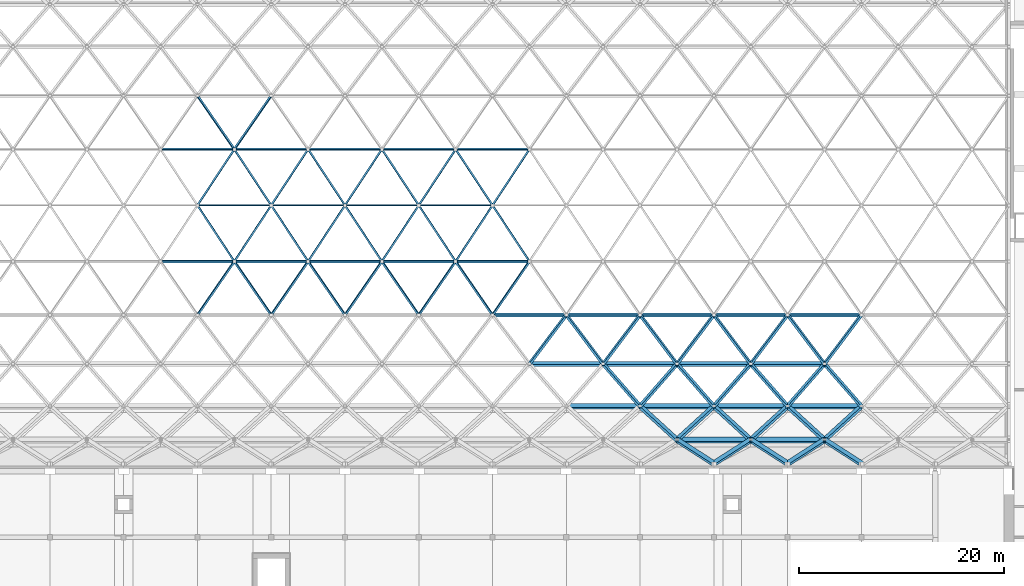
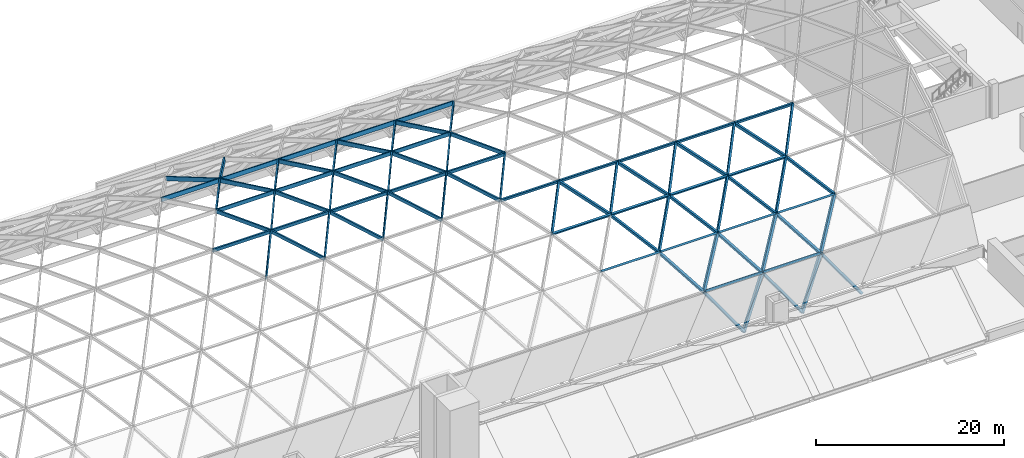
# One storey, part 9 of 52: 56 members, 29 beams.
"""IFC4 building model written with IfcOpenShell, lengths in metres."""

from ifc_helpers import new_model, si_unit, direction, frame, origin, origin_2d, place, context, subcontext, project, spatial, rectangle, extrude, material, material_profile, profile_set, type_object, element, save


model = new_model("IFC4")

# Units and contexts
model_context = context("Model", 3, precision=1e-05, world=origin(), true_north=direction((0.0, 1.0)))
body_context = subcontext(model_context, "Body", "Model", "MODEL_VIEW")
ifc_project = project(units=[si_unit("LENGTHUNIT", "METRE"), si_unit("AREAUNIT", "SQUARE_METRE"), si_unit("VOLUMEUNIT", "CUBIC_METRE"), si_unit("PLANEANGLEUNIT", "RADIAN"), si_unit("MASSUNIT", "GRAM", prefix="KILO")], contexts=[model_context])

# Site, building, storey
site_placement = place(None, origin())
site = spatial("IfcSite", under=ifc_project, at=site_placement, CompositionType="ELEMENT")
building_placement = place(site_placement, origin())
building = spatial("IfcBuilding", under=site, at=building_placement, Name="Vermilion Court Aquatics Centre", CompositionType="ELEMENT")
storey_placement = place(building_placement, frame((0.0, 0.0, 12.0)))
storey = spatial("IfcBuildingStorey", under=building, at=storey_placement, Name="L02", CompositionType="ELEMENT", Elevation=12.0)

# Beams
ifc_material_1 = material(Name="Glulam 24F-V4 Douglas fir", Category="wood")
ifc_material_profile_1 = material_profile(ifc_material_1, rectangle(XDim=0.1298828125, YDim=0.5, at=origin_2d()), Name="GL24F 130x500")
ifc_profile_set_1 = profile_set([ifc_material_profile_1], Name="Glulam 24F-V4 Douglas fir")
beam_type_1 = type_object("IfcBeamType", Name="Roof glulam beam GL24F 130x500", PredefinedType="BEAM", material=ifc_profile_set_1)
for number, where, z_axis, x_axis, name in (
    (1, (64.800048828125, 39.60009765625, 18.25), (1.0, 0.0, 0.0), (0.0, 1.0, 0.0), "Gridshell member GM-S06-07"),
    (2, (72.0, 39.60009765625, 18.25), (1.0, 0.0, 0.0), (0.0, 1.0, 0.0), "Gridshell member GM-S06-08"),
    (3, (79.199951171875, 39.60009765625, 18.25), (1.0, 0.0, 0.0), (0.0, 1.0, 0.0), "Gridshell member GM-S06-09"),
):
    element("IfcBeam", number, at=place(storey_placement, frame(where, z_axis=z_axis, x_axis=x_axis)), inside=storey, type_object=beam_type_1, Name=name, PredefinedType="BEAM", context=body_context, shape_type="SweptSolid", body=[
        extrude(rectangle(XDim=0.1298828125, YDim=0.5, at=origin_2d()), origin(), (0.0, 0.0, 1.0), 7.199951171875),
    ])
beam_1_placement = place(storey_placement, frame((86.39990234375, 39.60009765625, 18.25), z_axis=(1.0, 0.0, 0.0), x_axis=(0.0, 1.0, 0.0)))
element("IfcBeam", 4, at=beam_1_placement, inside=storey, type_object=beam_type_1, Name="Gridshell member GM-S06-10", PredefinedType="BEAM", context=body_context, shape_type="SweptSolid", body=[
    extrude(rectangle(XDim=0.1298828125, YDim=0.5, at=origin_2d()), origin(), (0.0, 0.0, 1.0), 7.2001953125),
])
ifc_material_2 = material(Name="Glulam 24F-V4 Douglas fir", Category="wood")
ifc_material_profile_2 = material_profile(ifc_material_2, rectangle(XDim=0.1708984375, YDim=0.5, at=origin_2d()), Name="GL24F 171x500")
ifc_profile_set_2 = profile_set([ifc_material_profile_2], Name="Glulam 24F-V4 Douglas fir")
beam_type_2 = type_object("IfcBeamType", Name="Roof glulam beam GL24F 171x500", PredefinedType="BEAM", material=ifc_profile_set_2)
for number, where, z_axis, x_axis, name in (
    (5, (93.60009765625, 28.89990234375, 16.007080078125), (1.0, 0.0, 0.0), (0.0, 0.915794264632, 0.401647687492), "Gridshell member GM-S04-11"),
    (6, (100.800048828125, 28.89990234375, 16.007080078125), (1.0, 0.0, 0.0), (0.0, 0.915794264632, 0.401647687492), "Gridshell member GM-S04-12"),
    (7, (108.0, 28.89990234375, 16.007080078125), (1.0, 0.0, 0.0), (0.0, 0.915794264632, 0.401647687492), "Gridshell member GM-S04-13"),
    (8, (115.199951171875, 28.89990234375, 16.007080078125), (1.0, 0.0, 0.0), (0.0, 0.915794264632, 0.401647687492), "Gridshell member GM-S04-14"),
):
    element("IfcBeam", number, at=place(storey_placement, frame(where, z_axis=z_axis, x_axis=x_axis)), inside=storey, type_object=beam_type_2, Name=name, PredefinedType="BEAM", context=body_context, shape_type="SweptSolid", body=[
        extrude(rectangle(XDim=0.1708984375, YDim=0.5, at=origin_2d()), origin(), (0.0, 0.0, 1.0), 7.199951171875),
    ])
beam_2_placement = place(storey_placement, frame((122.39990234375, 28.89990234375, 16.007080078125), z_axis=(1.0, 0.0, 0.0), x_axis=(0.0, 0.915794264632, 0.401647687492)))
element("IfcBeam", 9, at=beam_2_placement, inside=storey, type_object=beam_type_2, Name="Gridshell member GM-S04-15", PredefinedType="BEAM", context=body_context, shape_type="SweptSolid", body=[
    extrude(rectangle(XDim=0.1708984375, YDim=0.5, at=origin_2d()), origin(), (0.0, 0.0, 1.0), 7.2001953125),
])
beam_3_placement = place(storey_placement, frame((61.199951171875, 34.1298828125, 17.681884765625), z_axis=(1.0, 0.0, 0.0), x_axis=(0.0, 0.978692135467, 0.205333153619)))
element("IfcBeam", 10, at=beam_3_placement, inside=storey, type_object=beam_type_2, Name="Gridshell member GM-S05-07", PredefinedType="BEAM", context=body_context, shape_type="SweptSolid", body=[
    extrude(rectangle(XDim=0.1708984375, YDim=0.5, at=origin_2d()), origin(), (0.0, 0.0, 1.0), 7.199951171875),
])
beam_4_placement = place(storey_placement, frame((68.39990234375, 34.1298828125, 17.681884765625), z_axis=(1.0, 0.0, 0.0), x_axis=(0.0, 0.978692135467, 0.205333153619)))
element("IfcBeam", 11, at=beam_4_placement, inside=storey, type_object=beam_type_2, Name="Gridshell member GM-S05-08", PredefinedType="BEAM", context=body_context, shape_type="SweptSolid", body=[
    extrude(rectangle(XDim=0.1708984375, YDim=0.5, at=origin_2d()), origin(), (0.0, 0.0, 1.0), 7.2001953125),
])
for number, where, z_axis, x_axis, name in (
    (12, (75.60009765625, 34.1298828125, 17.681884765625), (1.0, 0.0, 0.0), (0.0, 0.978692135467, 0.205333153619), "Gridshell member GM-S05-09"),
    (13, (82.800048828125, 34.1298828125, 17.681884765625), (1.0, 0.0, 0.0), (0.0, 0.978692135467, 0.205333153619), "Gridshell member GM-S05-10"),
    (14, (90.0, 34.1298828125, 17.681884765625), (1.0, 0.0, 0.0), (0.0, 0.978692135467, 0.205333153619), "Gridshell member GM-S05-11"),
    (15, (61.199951171875, 45.070068359375, 17.681884765625), (1.0, 0.0, 0.0), (0.0, 0.978692135467, -0.205333153619), "Gridshell member GM-S07-07"),
):
    element("IfcBeam", number, at=place(storey_placement, frame(where, z_axis=z_axis, x_axis=x_axis)), inside=storey, type_object=beam_type_2, Name=name, PredefinedType="BEAM", context=body_context, shape_type="SweptSolid", body=[
        extrude(rectangle(XDim=0.1708984375, YDim=0.5, at=origin_2d()), origin(), (0.0, 0.0, 1.0), 7.199951171875),
    ])
beam_5_placement = place(storey_placement, frame((68.39990234375, 45.070068359375, 17.681884765625), z_axis=(1.0, 0.0, 0.0), x_axis=(0.0, 0.978692135467, -0.205333153619)))
element("IfcBeam", 16, at=beam_5_placement, inside=storey, type_object=beam_type_2, Name="Gridshell member GM-S07-08", PredefinedType="BEAM", context=body_context, shape_type="SweptSolid", body=[
    extrude(rectangle(XDim=0.1708984375, YDim=0.5, at=origin_2d()), origin(), (0.0, 0.0, 1.0), 7.2001953125),
])
for number, where, z_axis, x_axis, name in (
    (17, (75.60009765625, 45.070068359375, 17.681884765625), (1.0, 0.0, 0.0), (0.0, 0.978692135467, -0.205333153619), "Gridshell member GM-S07-09"),
    (18, (82.800048828125, 45.070068359375, 17.681884765625), (1.0, 0.0, 0.0), (0.0, 0.978692135467, -0.205333153619), "Gridshell member GM-S07-10"),
    (19, (90.0, 45.070068359375, 17.681884765625), (1.0, 0.0, 0.0), (0.0, 0.978692135467, -0.205333153619), "Gridshell member GM-S07-11"),
):
    element("IfcBeam", number, at=place(storey_placement, frame(where, z_axis=z_axis, x_axis=x_axis)), inside=storey, type_object=beam_type_2, Name=name, PredefinedType="BEAM", context=body_context, shape_type="SweptSolid", body=[
        extrude(rectangle(XDim=0.1708984375, YDim=0.5, at=origin_2d()), origin(), (0.0, 0.0, 1.0), 7.199951171875),
    ])
ifc_material_3 = material(Name="Glulam 24F-V4 Douglas fir", Category="wood")
ifc_material_profile_3 = material_profile(ifc_material_3, rectangle(XDim=0.221923828125, YDim=0.5, at=origin_2d()), Name="GL24F 222x500")
ifc_profile_set_3 = profile_set([ifc_material_profile_3], Name="Glulam 24F-V4 Douglas fir")
beam_type_3 = type_object("IfcBeamType", Name="Roof glulam beam GL24F 222x500", PredefinedType="BEAM", material=ifc_profile_set_3)
for number, where, z_axis, x_axis, name in (
    (20, (100.800048828125, 20.0, 9.652099609375), (1.0, 0.0, 0.0), (0.0, 0.677259808472, 0.735743944473), "Gridshell member GM-S02-12"),
    (21, (108.0, 20.0, 9.652099609375), (1.0, 0.0, 0.0), (0.0, 0.677259808472, 0.735743944473), "Gridshell member GM-S02-13"),
    (22, (115.199951171875, 20.0, 9.652099609375), (1.0, 0.0, 0.0), (0.0, 0.677259808472, 0.735743944473), "Gridshell member GM-S02-14"),
):
    element("IfcBeam", number, at=place(storey_placement, frame(where, z_axis=z_axis, x_axis=x_axis)), inside=storey, type_object=beam_type_3, Name=name, PredefinedType="BEAM", context=body_context, shape_type="SweptSolid", body=[
        extrude(rectangle(XDim=0.221923828125, YDim=0.5, at=origin_2d()), origin(), (0.0, 0.0, 1.0), 7.199951171875),
    ])
beam_6_placement = place(storey_placement, frame((122.39990234375, 20.0, 9.652099609375), z_axis=(1.0, 0.0, 0.0), x_axis=(0.0, 0.677259808472, 0.735743944473)))
element("IfcBeam", 23, at=beam_6_placement, inside=storey, type_object=beam_type_3, Name="Gridshell member GM-S02-15", PredefinedType="BEAM", context=body_context, shape_type="SweptSolid", body=[
    extrude(rectangle(XDim=0.221923828125, YDim=0.5, at=origin_2d()), origin(), (0.0, 0.0, 1.0), 7.2001953125),
])
beam_7_placement = place(storey_placement, frame((97.199951171875, 24.1201171875, 13.291015625), z_axis=(1.0, 0.0, 0.0), x_axis=(0.0, 0.813847589394, 0.581078395087)))
element("IfcBeam", 24, at=beam_7_placement, inside=storey, type_object=beam_type_3, Name="Gridshell member GM-S03-12", PredefinedType="BEAM", context=body_context, shape_type="SweptSolid", body=[
    extrude(rectangle(XDim=0.221923828125, YDim=0.5, at=origin_2d()), origin(), (0.0, 0.0, 1.0), 7.199951171875),
])
beam_8_placement = place(storey_placement, frame((104.39990234375, 24.1201171875, 13.291015625), z_axis=(1.0, 0.0, 0.0), x_axis=(0.0, 0.813847589394, 0.581078395087)))
element("IfcBeam", 25, at=beam_8_placement, inside=storey, type_object=beam_type_3, Name="Gridshell member GM-S03-13", PredefinedType="BEAM", context=body_context, shape_type="SweptSolid", body=[
    extrude(rectangle(XDim=0.221923828125, YDim=0.5, at=origin_2d()), origin(), (0.0, 0.0, 1.0), 7.2001953125),
])
for number, where, z_axis, x_axis, name in (
    (26, (111.60009765625, 24.1201171875, 13.291015625), (1.0, 0.0, 0.0), (0.0, 0.813847589394, 0.581078395087), "Gridshell member GM-S03-14"),
    (27, (118.800048828125, 24.1201171875, 13.291015625), (1.0, 0.0, 0.0), (0.0, 0.813847589394, 0.581078395087), "Gridshell member GM-S03-15"),
):
    element("IfcBeam", number, at=place(storey_placement, frame(where, z_axis=z_axis, x_axis=x_axis)), inside=storey, type_object=beam_type_3, Name=name, PredefinedType="BEAM", context=body_context, shape_type="SweptSolid", body=[
        extrude(rectangle(XDim=0.221923828125, YDim=0.5, at=origin_2d()), origin(), (0.0, 0.0, 1.0), 7.199951171875),
    ])
ifc_material_4 = material(Name="Glulam 24F-V4 Douglas fir", Category="wood")
ifc_material_profile_4 = material_profile(ifc_material_4, rectangle(XDim=0.27294921875, YDim=0.5, at=origin_2d()), Name="GL24F 273x500")
ifc_profile_set_4 = profile_set([ifc_material_profile_4], Name="Glulam 24F-V4 Douglas fir")
beam_type_4 = type_object("IfcBeamType", Name="Roof glulam beam GL24F 273x500", PredefinedType="BEAM", material=ifc_profile_set_4)
for number, where, z_axis, x_axis, name in (
    (28, (111.60009765625, 16.7099609375, 5.239013671875), (1.0, 0.0, 0.0), (0.0, 0.511594723072, 0.859226884661), "Gridshell member GM-S01-14"),
    (29, (118.800048828125, 16.7099609375, 5.239013671875), (1.0, 0.0, 0.0), (0.0, 0.511594723072, 0.859226884661), "Gridshell member GM-S01-15"),
):
    element("IfcBeam", number, at=place(storey_placement, frame(where, z_axis=z_axis, x_axis=x_axis)), inside=storey, type_object=beam_type_4, Name=name, PredefinedType="BEAM", context=body_context, shape_type="SweptSolid", body=[
        extrude(rectangle(XDim=0.27294921875, YDim=0.5, at=origin_2d()), origin(), (0.0, 0.0, 1.0), 7.199951171875),
    ])

# Members
ifc_material_5 = material(Name="Glulam 24F-V4 Douglas fir", Category="wood")
ifc_material_profile_5 = material_profile(ifc_material_5, rectangle(XDim=0.1708984375, YDim=0.5, at=origin_2d()), Name="GL24F 171x500")
ifc_profile_set_5 = profile_set([ifc_material_profile_5], Name="Glulam 24F-V4 Douglas fir")
member_type_1 = type_object("IfcMemberType", Name="Roof glulam diagonal GL24F 171x500", PredefinedType="BRACE", material=ifc_profile_set_5)
for number, where, z_axis, x_axis, name in (
    (30, (64.800048828125, 28.89990234375, 16.007080078125), (0.548229645356, 0.796485280625, 0.255059706147), (-0.836327836937, 0.522085963539, 0.167278198938), "Gridshell member GM-D04-14"),
    (31, (72.0, 28.89990234375, 16.007080078125), (-0.548255650399, 0.796469045357, 0.255054507103), (-0.836310790084, -0.522113193833, -0.167278436192), "Gridshell member GM-D04-15"),
    (32, (72.0, 28.89990234375, 16.007080078125), (0.548255650399, 0.796469045357, 0.255054507103), (-0.836310790084, 0.522113193833, 0.167278436192), "Gridshell member GM-D04-16"),
    (33, (79.199951171875, 28.89990234375, 16.007080078125), (-0.548229645356, 0.796485280625, 0.255059706147), (-0.836327836937, -0.522085963539, -0.167278198938), "Gridshell member GM-D04-17"),
    (34, (79.199951171875, 28.89990234375, 16.007080078125), (0.548255650399, 0.796469045357, 0.255054507103), (-0.836310790084, 0.522113193833, 0.167278436192), "Gridshell member GM-D04-18"),
    (35, (86.39990234375, 28.89990234375, 16.007080078125), (-0.548229645356, 0.796485280625, 0.255059706147), (-0.836327836937, -0.522085963539, -0.167278198938), "Gridshell member GM-D04-19"),
    (36, (86.39990234375, 28.89990234375, 16.007080078125), (0.548255650399, 0.796469045357, 0.255054507103), (-0.836310790084, 0.522113193833, 0.167278436192), "Gridshell member GM-D04-20"),
    (37, (93.60009765625, 28.89990234375, 16.007080078125), (-0.548255650399, 0.796469045357, 0.255054507103), (-0.836310790084, -0.522113193833, -0.167278436192), "Gridshell member GM-D04-21"),
    (38, (93.60009765625, 28.89990234375, 16.007080078125), (0.548229645356, 0.796485280625, 0.255059706147), (-0.836327836937, 0.522085963539, 0.167278198938), "Gridshell member GM-D04-22"),
):
    element("IfcMember", number, at=place(storey_placement, frame(where, z_axis=z_axis, x_axis=x_axis)), inside=storey, type_object=member_type_1, Name=name, PredefinedType="BRACE", context=body_context, shape_type="SweptSolid", body=[
        extrude(rectangle(XDim=0.1708984375, YDim=0.5, at=origin_2d()), origin(), (0.0, 0.0, 1.0), 6.56640625),
    ])
member_1_placement = place(storey_placement, frame((68.39990234375, 34.1298828125, 17.681884765625), z_axis=(-0.547668890277, 0.832219000038, 0.086431027987), x_axis=(-0.83669515676, -0.544743378643, -0.056531991638)))
element("IfcMember", 39, at=member_1_placement, inside=storey, type_object=member_type_1, Name="Gridshell member GM-D05-14", PredefinedType="BRACE", context=body_context, shape_type="SweptSolid", body=[
    extrude(rectangle(XDim=0.1708984375, YDim=0.5, at=origin_2d()), origin(), (0.0, 0.0, 1.0), 6.572998046875),
])
for number, where, z_axis, x_axis, name in (
    (40, (68.39990234375, 34.1298828125, 17.681884765625), (0.547694891547, 0.83220207107, 0.086429269811), (-0.83667813664, 0.544769518799, 0.056532000293), "Gridshell member GM-D05-15"),
    (41, (75.60009765625, 34.1298828125, 17.681884765625), (-0.547694891547, 0.83220207107, 0.086429269811), (-0.83667813664, -0.544769518799, -0.056532000293), "Gridshell member GM-D05-16"),
):
    element("IfcMember", number, at=place(storey_placement, frame(where, z_axis=z_axis, x_axis=x_axis)), inside=storey, type_object=member_type_1, Name=name, PredefinedType="BRACE", context=body_context, shape_type="SweptSolid", body=[
        extrude(rectangle(XDim=0.1708984375, YDim=0.5, at=origin_2d()), origin(), (0.0, 0.0, 1.0), 6.5732421875),
    ])
member_2_placement = place(storey_placement, frame((75.60009765625, 34.1298828125, 17.681884765625), z_axis=(0.547668890277, 0.832219000038, 0.086431027987), x_axis=(-0.83669515676, 0.544743378643, 0.056531991638)))
element("IfcMember", 42, at=member_2_placement, inside=storey, type_object=member_type_1, Name="Gridshell member GM-D05-17", PredefinedType="BRACE", context=body_context, shape_type="SweptSolid", body=[
    extrude(rectangle(XDim=0.1708984375, YDim=0.5, at=origin_2d()), origin(), (0.0, 0.0, 1.0), 6.572998046875),
])
member_3_placement = place(storey_placement, frame((82.800048828125, 34.1298828125, 17.681884765625), z_axis=(-0.547694891547, 0.83220207107, 0.086429269811), x_axis=(-0.83667813664, -0.544769518799, -0.056532000293)))
element("IfcMember", 43, at=member_3_placement, inside=storey, type_object=member_type_1, Name="Gridshell member GM-D05-18", PredefinedType="BRACE", context=body_context, shape_type="SweptSolid", body=[
    extrude(rectangle(XDim=0.1708984375, YDim=0.5, at=origin_2d()), origin(), (0.0, 0.0, 1.0), 6.5732421875),
])
member_4_placement = place(storey_placement, frame((82.800048828125, 34.1298828125, 17.681884765625), z_axis=(0.547668890277, 0.832219000038, 0.086431027987), x_axis=(-0.83669515676, 0.544743378643, 0.056531991638)))
element("IfcMember", 44, at=member_4_placement, inside=storey, type_object=member_type_1, Name="Gridshell member GM-D05-19", PredefinedType="BRACE", context=body_context, shape_type="SweptSolid", body=[
    extrude(rectangle(XDim=0.1708984375, YDim=0.5, at=origin_2d()), origin(), (0.0, 0.0, 1.0), 6.572998046875),
])
for number, where, z_axis, x_axis, name in (
    (45, (90.0, 34.1298828125, 17.681884765625), (-0.547694891547, 0.83220207107, 0.086429269811), (-0.83667813664, -0.544769518799, -0.056532000293), "Gridshell member GM-D05-20"),
    (46, (90.0, 34.1298828125, 17.681884765625), (0.547694891547, 0.83220207107, 0.086429269811), (-0.83667813664, 0.544769518799, 0.056532000293), "Gridshell member GM-D05-21"),
):
    element("IfcMember", number, at=place(storey_placement, frame(where, z_axis=z_axis, x_axis=x_axis)), inside=storey, type_object=member_type_1, Name=name, PredefinedType="BRACE", context=body_context, shape_type="SweptSolid", body=[
        extrude(rectangle(XDim=0.1708984375, YDim=0.5, at=origin_2d()), origin(), (0.0, 0.0, 1.0), 6.5732421875),
    ])
member_5_placement = place(storey_placement, frame((97.199951171875, 34.1298828125, 17.681884765625), z_axis=(-0.547668890277, 0.832219000038, 0.086431027987), x_axis=(-0.83669515676, -0.544743378643, -0.056531991638)))
element("IfcMember", 47, at=member_5_placement, inside=storey, type_object=member_type_1, Name="Gridshell member GM-D05-22", PredefinedType="BRACE", context=body_context, shape_type="SweptSolid", body=[
    extrude(rectangle(XDim=0.1708984375, YDim=0.5, at=origin_2d()), origin(), (0.0, 0.0, 1.0), 6.572998046875),
])
member_6_placement = place(storey_placement, frame((64.800048828125, 39.60009765625, 18.25), z_axis=(0.547685819594, 0.832207581418, -0.086433699708), x_axis=(-0.836684075066, 0.544760400487, -0.056531978485)))
element("IfcMember", 48, at=member_6_placement, inside=storey, type_object=member_type_1, Name="Gridshell member GM-D06-14", PredefinedType="BRACE", context=body_context, shape_type="SweptSolid", body=[
    extrude(rectangle(XDim=0.1708984375, YDim=0.5, at=origin_2d()), origin(), (0.0, 0.0, 1.0), 6.57275390625),
])
for number, where, z_axis, x_axis, name in (
    (49, (72.0, 39.60009765625, 18.25), (-0.547711820979, 0.832190651637, -0.086431941368), (-0.836667054109, -0.544786540764, 0.056531987142), "Gridshell member GM-D06-15"),
    (50, (72.0, 39.60009765625, 18.25), (0.547711820979, 0.832190651637, -0.086431941368), (-0.836667054109, 0.544786540764, -0.056531987142), "Gridshell member GM-D06-16"),
):
    element("IfcMember", number, at=place(storey_placement, frame(where, z_axis=z_axis, x_axis=x_axis)), inside=storey, type_object=member_type_1, Name=name, PredefinedType="BRACE", context=body_context, shape_type="SweptSolid", body=[
        extrude(rectangle(XDim=0.1708984375, YDim=0.5, at=origin_2d()), origin(), (0.0, 0.0, 1.0), 6.572998046875),
    ])
member_7_placement = place(storey_placement, frame((79.199951171875, 39.60009765625, 18.25), z_axis=(-0.547685819594, 0.832207581418, -0.086433699708), x_axis=(-0.836684075066, -0.544760400487, 0.056531978485)))
element("IfcMember", 51, at=member_7_placement, inside=storey, type_object=member_type_1, Name="Gridshell member GM-D06-17", PredefinedType="BRACE", context=body_context, shape_type="SweptSolid", body=[
    extrude(rectangle(XDim=0.1708984375, YDim=0.5, at=origin_2d()), origin(), (0.0, 0.0, 1.0), 6.57275390625),
])
member_8_placement = place(storey_placement, frame((79.199951171875, 39.60009765625, 18.25), z_axis=(0.547711820979, 0.832190651637, -0.086431941368), x_axis=(-0.836667054109, 0.544786540764, -0.056531987142)))
element("IfcMember", 52, at=member_8_placement, inside=storey, type_object=member_type_1, Name="Gridshell member GM-D06-18", PredefinedType="BRACE", context=body_context, shape_type="SweptSolid", body=[
    extrude(rectangle(XDim=0.1708984375, YDim=0.5, at=origin_2d()), origin(), (0.0, 0.0, 1.0), 6.572998046875),
])
member_9_placement = place(storey_placement, frame((86.39990234375, 39.60009765625, 18.25), z_axis=(-0.547685819594, 0.832207581418, -0.086433699708), x_axis=(-0.836684075066, -0.544760400487, 0.056531978485)))
element("IfcMember", 53, at=member_9_placement, inside=storey, type_object=member_type_1, Name="Gridshell member GM-D06-19", PredefinedType="BRACE", context=body_context, shape_type="SweptSolid", body=[
    extrude(rectangle(XDim=0.1708984375, YDim=0.5, at=origin_2d()), origin(), (0.0, 0.0, 1.0), 6.57275390625),
])
for number, where, z_axis, x_axis, name in (
    (54, (86.39990234375, 39.60009765625, 18.25), (0.547711820979, 0.832190651637, -0.086431941368), (-0.836667054109, 0.544786540764, -0.056531987142), "Gridshell member GM-D06-20"),
    (55, (93.60009765625, 39.60009765625, 18.25), (-0.547711820979, 0.832190651637, -0.086431941368), (-0.836667054109, -0.544786540764, 0.056531987142), "Gridshell member GM-D06-21"),
):
    element("IfcMember", number, at=place(storey_placement, frame(where, z_axis=z_axis, x_axis=x_axis)), inside=storey, type_object=member_type_1, Name=name, PredefinedType="BRACE", context=body_context, shape_type="SweptSolid", body=[
        extrude(rectangle(XDim=0.1708984375, YDim=0.5, at=origin_2d()), origin(), (0.0, 0.0, 1.0), 6.572998046875),
    ])
member_10_placement = place(storey_placement, frame((93.60009765625, 39.60009765625, 18.25), z_axis=(0.547685819594, 0.832207581418, -0.086433699708), x_axis=(-0.836684075066, 0.544760400487, -0.056531978485)))
element("IfcMember", 56, at=member_10_placement, inside=storey, type_object=member_type_1, Name="Gridshell member GM-D06-22", PredefinedType="BRACE", context=body_context, shape_type="SweptSolid", body=[
    extrude(rectangle(XDim=0.1708984375, YDim=0.5, at=origin_2d()), origin(), (0.0, 0.0, 1.0), 6.57275390625),
])
for number, where, z_axis, x_axis, name in (
    (57, (68.39990234375, 45.070068359375, 17.681884765625), (-0.548229645356, 0.796485280625, -0.255059706147), (-0.836327836937, -0.522085963539, 0.167278198938), "Gridshell member GM-D07-14"),
    (58, (68.39990234375, 45.070068359375, 17.681884765625), (0.548255650399, 0.796469045357, -0.255054507103), (-0.836310790084, 0.522113193833, -0.167278436192), "Gridshell member GM-D07-15"),
):
    element("IfcMember", number, at=place(storey_placement, frame(where, z_axis=z_axis, x_axis=x_axis)), inside=storey, type_object=member_type_1, Name=name, PredefinedType="BRACE", context=body_context, shape_type="SweptSolid", body=[
        extrude(rectangle(XDim=0.1708984375, YDim=0.5, at=origin_2d()), origin(), (0.0, 0.0, 1.0), 6.56640625),
    ])
ifc_material_6 = material(Name="Glulam 24F-V4 Douglas fir", Category="wood")
ifc_material_profile_6 = material_profile(ifc_material_6, rectangle(XDim=0.221923828125, YDim=0.5, at=origin_2d()), Name="GL24F 222x500")
ifc_profile_set_6 = profile_set([ifc_material_profile_6], Name="Glulam 24F-V4 Douglas fir")
member_type_2 = type_object("IfcMemberType", Name="Roof glulam diagonal GL24F 222x500", PredefinedType="BRACE", material=ifc_profile_set_6)
for number, where, z_axis, x_axis, name in (
    (59, (108.0, 20.0, 9.652099609375), (-0.547878343921, 0.627017152585, 0.553785888793), (-0.836558019341, -0.410664270742, -0.362664496488), "Gridshell member GM-D02-25"),
    (60, (108.0, 20.0, 9.652099609375), (0.547878343921, 0.627017152585, 0.553785888793), (-0.836558019341, 0.410664270742, 0.362664496488), "Gridshell member GM-D02-26"),
):
    element("IfcMember", number, at=place(storey_placement, frame(where, z_axis=z_axis, x_axis=x_axis)), inside=storey, type_object=member_type_2, Name=name, PredefinedType="BRACE", context=body_context, shape_type="SweptSolid", body=[
        extrude(rectangle(XDim=0.221923828125, YDim=0.5, at=origin_2d()), origin(), (0.0, 0.0, 1.0), 6.571044921875),
    ])
member_11_placement = place(storey_placement, frame((115.199951171875, 20.0, 9.652099609375), z_axis=(-0.54785234141, 0.62702991615, 0.553797161662), x_axis=(-0.836575048608, -0.410632462921, -0.362661230961)))
element("IfcMember", 61, at=member_11_placement, inside=storey, type_object=member_type_2, Name="Gridshell member GM-D02-27", PredefinedType="BRACE", context=body_context, shape_type="SweptSolid", body=[
    extrude(rectangle(XDim=0.221923828125, YDim=0.5, at=origin_2d()), origin(), (0.0, 0.0, 1.0), 6.57080078125),
])
member_12_placement = place(storey_placement, frame((115.199951171875, 20.0, 9.652099609375), z_axis=(0.547878343921, 0.627017152585, 0.553785888793), x_axis=(-0.836558019341, 0.410664270742, 0.362664496488)))
element("IfcMember", 62, at=member_12_placement, inside=storey, type_object=member_type_2, Name="Gridshell member GM-D02-28", PredefinedType="BRACE", context=body_context, shape_type="SweptSolid", body=[
    extrude(rectangle(XDim=0.221923828125, YDim=0.5, at=origin_2d()), origin(), (0.0, 0.0, 1.0), 6.571044921875),
])
member_13_placement = place(storey_placement, frame((122.39990234375, 20.0, 9.652099609375), z_axis=(-0.54785234141, 0.62702991615, 0.553797161662), x_axis=(-0.836575048608, -0.410632462921, -0.362661230961)))
element("IfcMember", 63, at=member_13_placement, inside=storey, type_object=member_type_2, Name="Gridshell member GM-D02-29", PredefinedType="BRACE", context=body_context, shape_type="SweptSolid", body=[
    extrude(rectangle(XDim=0.221923828125, YDim=0.5, at=origin_2d()), origin(), (0.0, 0.0, 1.0), 6.57080078125),
])
for number, where, z_axis, x_axis, name in (
    (64, (122.39990234375, 20.0, 9.652099609375), (0.547878343921, 0.627017152585, 0.553785888793), (-0.836558019341, 0.410664270742, 0.362664496488), "Gridshell member GM-D02-30"),
    (65, (129.60009765625, 20.0, 9.652099609375), (-0.547878343921, 0.627017152585, 0.553785888793), (-0.836558019341, -0.410664270742, -0.362664496488), "Gridshell member GM-D02-31"),
):
    element("IfcMember", number, at=place(storey_placement, frame(where, z_axis=z_axis, x_axis=x_axis)), inside=storey, type_object=member_type_2, Name=name, PredefinedType="BRACE", context=body_context, shape_type="SweptSolid", body=[
        extrude(rectangle(XDim=0.221923828125, YDim=0.5, at=origin_2d()), origin(), (0.0, 0.0, 1.0), 6.571044921875),
    ])
member_14_placement = place(storey_placement, frame((97.199951171875, 24.1201171875, 13.291015625), z_axis=(0.54783852514, 0.727355394357, 0.413312328237), x_axis=(-0.836584095586, 0.476331897609, 0.270619611877)))
element("IfcMember", 66, at=member_14_placement, inside=storey, type_object=member_type_2, Name="Gridshell member GM-D03-23", PredefinedType="BRACE", context=body_context, shape_type="SweptSolid", body=[
    extrude(rectangle(XDim=0.221923828125, YDim=0.5, at=origin_2d()), origin(), (0.0, 0.0, 1.0), 6.571533203125),
])
member_15_placement = place(storey_placement, frame((104.39990234375, 24.1201171875, 13.291015625), z_axis=(-0.547812522897, 0.727370198256, 0.413320740402), x_axis=(-0.836601123047, -0.476302635686, -0.270618477113)))
element("IfcMember", 67, at=member_15_placement, inside=storey, type_object=member_type_2, Name="Gridshell member GM-D03-24", PredefinedType="BRACE", context=body_context, shape_type="SweptSolid", body=[
    extrude(rectangle(XDim=0.221923828125, YDim=0.5, at=origin_2d()), origin(), (0.0, 0.0, 1.0), 6.5712890625),
])
for number, where, z_axis, x_axis, name in (
    (68, (104.39990234375, 24.1201171875, 13.291015625), (0.54783852514, 0.727355394357, 0.413312328237), (-0.836584095586, 0.476331897609, 0.270619611877), "Gridshell member GM-D03-25"),
    (69, (111.60009765625, 24.1201171875, 13.291015625), (-0.54783852514, 0.727355394357, 0.413312328237), (-0.836584095586, -0.476331897609, -0.270619611877), "Gridshell member GM-D03-26"),
):
    element("IfcMember", number, at=place(storey_placement, frame(where, z_axis=z_axis, x_axis=x_axis)), inside=storey, type_object=member_type_2, Name=name, PredefinedType="BRACE", context=body_context, shape_type="SweptSolid", body=[
        extrude(rectangle(XDim=0.221923828125, YDim=0.5, at=origin_2d()), origin(), (0.0, 0.0, 1.0), 6.571533203125),
    ])
member_16_placement = place(storey_placement, frame((111.60009765625, 24.1201171875, 13.291015625), z_axis=(0.547812522897, 0.727370198256, 0.413320740402), x_axis=(-0.836601123047, 0.476302635686, 0.270618477113)))
element("IfcMember", 70, at=member_16_placement, inside=storey, type_object=member_type_2, Name="Gridshell member GM-D03-27", PredefinedType="BRACE", context=body_context, shape_type="SweptSolid", body=[
    extrude(rectangle(XDim=0.221923828125, YDim=0.5, at=origin_2d()), origin(), (0.0, 0.0, 1.0), 6.5712890625),
])
member_17_placement = place(storey_placement, frame((118.800048828125, 24.1201171875, 13.291015625), z_axis=(-0.54783852514, 0.727355394357, 0.413312328237), x_axis=(-0.836584095586, -0.476331897609, -0.270619611877)))
element("IfcMember", 71, at=member_17_placement, inside=storey, type_object=member_type_2, Name="Gridshell member GM-D03-28", PredefinedType="BRACE", context=body_context, shape_type="SweptSolid", body=[
    extrude(rectangle(XDim=0.221923828125, YDim=0.5, at=origin_2d()), origin(), (0.0, 0.0, 1.0), 6.571533203125),
])
member_18_placement = place(storey_placement, frame((118.800048828125, 24.1201171875, 13.291015625), z_axis=(0.547812522897, 0.727370198256, 0.413320740402), x_axis=(-0.836601123047, 0.476302635686, 0.270618477113)))
element("IfcMember", 72, at=member_18_placement, inside=storey, type_object=member_type_2, Name="Gridshell member GM-D03-29", PredefinedType="BRACE", context=body_context, shape_type="SweptSolid", body=[
    extrude(rectangle(XDim=0.221923828125, YDim=0.5, at=origin_2d()), origin(), (0.0, 0.0, 1.0), 6.5712890625),
])
for number, where, z_axis, x_axis, name in (
    (73, (126.0, 24.1201171875, 13.291015625), (-0.54783852514, 0.727355394357, 0.413312328237), (-0.836584095586, -0.476331897609, -0.270619611877), "Gridshell member GM-D03-30"),
    (74, (126.0, 24.1201171875, 13.291015625), (0.54783852514, 0.727355394357, 0.413312328237), (-0.836584095586, 0.476331897609, 0.270619611877), "Gridshell member GM-D03-31"),
):
    element("IfcMember", number, at=place(storey_placement, frame(where, z_axis=z_axis, x_axis=x_axis)), inside=storey, type_object=member_type_2, Name=name, PredefinedType="BRACE", context=body_context, shape_type="SweptSolid", body=[
        extrude(rectangle(XDim=0.221923828125, YDim=0.5, at=origin_2d()), origin(), (0.0, 0.0, 1.0), 6.571533203125),
    ])
ifc_material_7 = material(Name="Glulam 24F-V4 Douglas fir", Category="wood")
ifc_material_profile_7 = material_profile(ifc_material_7, rectangle(XDim=0.27294921875, YDim=0.5, at=origin_2d()), Name="GL24F 273x500")
ifc_profile_set_7 = profile_set([ifc_material_profile_7], Name="Glulam 24F-V4 Douglas fir")
member_type_3 = type_object("IfcMemberType", Name="Roof glulam diagonal GL24F 273x500", PredefinedType="BRACE", material=ifc_profile_set_7)
member_19_placement = place(storey_placement, frame((115.284423828125, 14.345703125, 0.1328125), z_axis=(-0.547784705503, 0.351517267781, 0.759188729414), x_axis=(-0.83661933782, -0.230161099811, -0.497085457159)))
element("IfcMember", 75, at=member_19_placement, inside=storey, type_object=member_type_3, Name="Gridshell member GM-D00-27", PredefinedType="BRACE", context=body_context, shape_type="SweptSolid", body=[
    extrude(rectangle(XDim=0.27294921875, YDim=0.5, at=origin_2d()), origin(), (0.0, 0.0, 1.0), 6.725830078125),
])
for number, where, z_axis, x_axis, name in (
    (76, (115.115478515625, 14.345703125, 0.1328125), (0.547810111411, 0.35151027822, 0.759173633724), (-0.836602702247, 0.230192523341, 0.497098904436), "Gridshell member GM-D00-28"),
    (77, (122.484619140625, 14.345703125, 0.1328125), (-0.547810111411, 0.35151027822, 0.759173633724), (-0.836602702247, -0.230192523341, -0.497098904436), "Gridshell member GM-D00-29"),
    (78, (122.3154296875, 14.345703125, 0.1328125), (0.547810111411, 0.35151027822, 0.759173633724), (-0.836602702247, 0.230192523341, 0.497098904436), "Gridshell member GM-D00-30"),
    (79, (129.6845703125, 14.345703125, 0.1328125), (-0.547810111411, 0.35151027822, 0.759173633724), (-0.836602702247, -0.230192523341, -0.497098904436), "Gridshell member GM-D00-31"),
):
    element("IfcMember", number, at=place(storey_placement, frame(where, z_axis=z_axis, x_axis=x_axis)), inside=storey, type_object=member_type_3, Name=name, PredefinedType="BRACE", context=body_context, shape_type="SweptSolid", body=[
        extrude(rectangle(XDim=0.27294921875, YDim=0.5, at=origin_2d()), origin(), (0.0, 0.0, 1.0), 6.72607421875),
    ])
for number, where, z_axis, x_axis, name in (
    (80, (111.60009765625, 16.7099609375, 5.239013671875), (-0.547354985532, 0.500214009563, 0.670960851652), (-0.836900542699, -0.327116726721, -0.438853197242), "Gridshell member GM-D01-26"),
    (81, (111.60009765625, 16.7099609375, 5.239013671875), (0.547328986583, 0.500224172478, 0.670974483654), (-0.836917545043, 0.32708302, 0.438845896445), "Gridshell member GM-D01-27"),
    (82, (118.800048828125, 16.7099609375, 5.239013671875), (-0.547354985532, 0.500214009563, 0.670960851652), (-0.836900542699, -0.327116726721, -0.438853197242), "Gridshell member GM-D01-28"),
    (83, (118.800048828125, 16.7099609375, 5.239013671875), (0.547328986583, 0.500224172478, 0.670974483654), (-0.836917545043, 0.32708302, 0.438845896445), "Gridshell member GM-D01-29"),
    (84, (126.0, 16.7099609375, 5.239013671875), (-0.547354985532, 0.500214009563, 0.670960851652), (-0.836900542699, -0.327116726721, -0.438853197242), "Gridshell member GM-D01-30"),
    (85, (126.0, 16.7099609375, 5.239013671875), (0.547354985532, 0.500214009563, 0.670960851652), (-0.836900542699, 0.327116726721, 0.438853197242), "Gridshell member GM-D01-31"),
):
    element("IfcMember", number, at=place(storey_placement, frame(where, z_axis=z_axis, x_axis=x_axis)), inside=storey, type_object=member_type_3, Name=name, PredefinedType="BRACE", context=body_context, shape_type="SweptSolid", body=[
        extrude(rectangle(XDim=0.27294921875, YDim=0.5, at=origin_2d()), origin(), (0.0, 0.0, 1.0), 6.5771484375),
    ])

save(model, "model.ifc")
